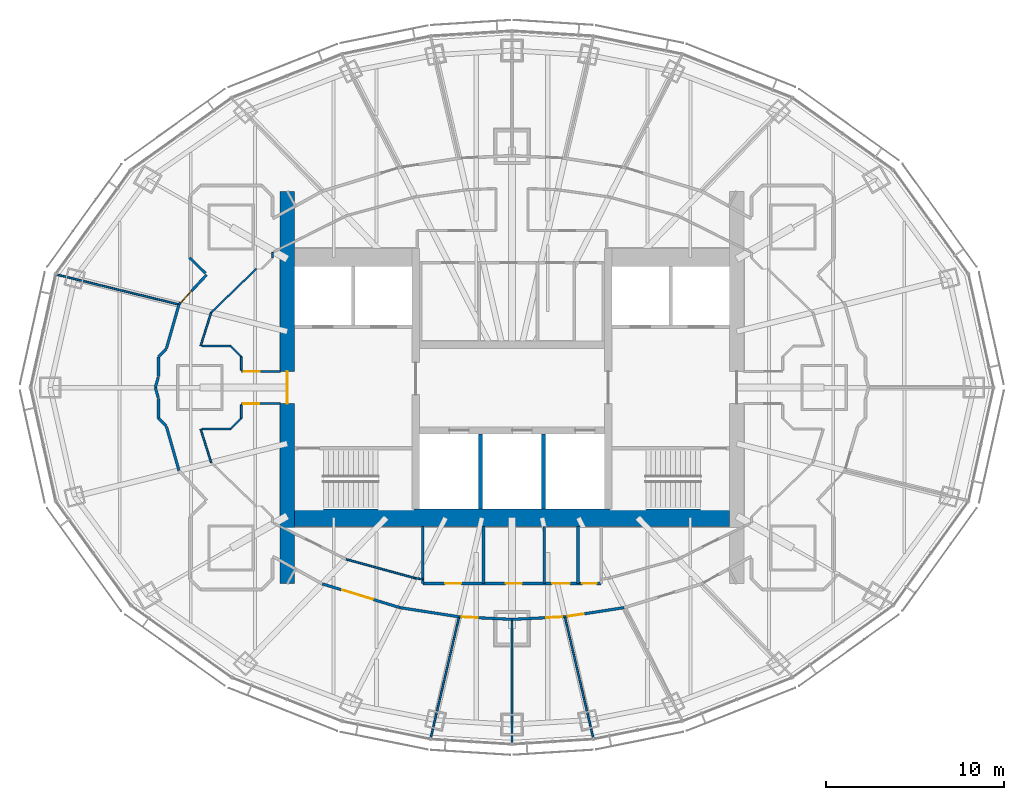
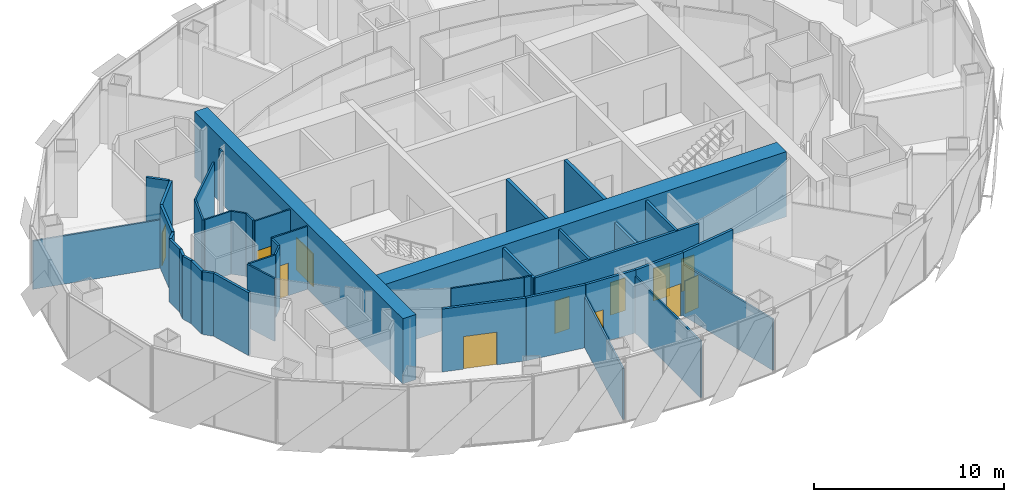
# One storey, part 12 of 19: 42 walls, 12 doors, 12 openings.
"""IFC4 building model written with IfcOpenShell, lengths in metres."""

from ifc_helpers import new_model, si_unit, direction, frame, frame_2d, origin, place, context, subcontext, project, spatial, rectangle, extrude, material, layer, layer_set, type_object, element, fill, save


model = new_model("IFC4")

# Units and contexts
model_context = context("Model", 3, precision=1e-05, world=origin(), true_north=direction((0.0, 1.0)))
body_context = subcontext(model_context, "Body", "Model", "MODEL_VIEW")
ifc_project = project(units=[si_unit("LENGTHUNIT", "METRE"), si_unit("AREAUNIT", "SQUARE_METRE"), si_unit("VOLUMEUNIT", "CUBIC_METRE"), si_unit("PLANEANGLEUNIT", "RADIAN"), si_unit("MASSUNIT", "GRAM", prefix="KILO")], contexts=[model_context])

# Site, building, storey
site_placement = place(None, origin())
site = spatial("IfcSite", under=ifc_project, at=site_placement, CompositionType="ELEMENT")
building_placement = place(site_placement, origin())
building = spatial("IfcBuilding", under=site, at=building_placement, Name="Lantaw Convention Tower", CompositionType="ELEMENT")
storey_placement = place(building_placement, frame((0.0, 0.0, 245.199951171875)))
storey = spatial("IfcBuildingStorey", under=building, at=storey_placement, Name="L57", CompositionType="ELEMENT", Elevation=245.199951171875)

# Wall
ifc_material_1 = material(Name="Concrete C60/75", Category="concrete")
ifc_layer_1 = layer(ifc_material_1, 1.0)
ifc_layer_set_1 = layer_set([ifc_layer_1], Name="Core wall 1000")
wall_type_1 = type_object("IfcWallType", Name="Core wall 1000", PredefinedType="SHEAR", material=ifc_layer_set_1)
wall_1_placement = place(storey_placement, frame((-12.199951171875, -7.300048828125, 0.0), z_axis=(0.0, 0.0, 1.0), x_axis=(1.0, 0.0, 0.0)))
element("IfcWall", 1, at=wall_1_placement, inside=storey, type_object=wall_type_1, Name="Core wall S", PredefinedType="SHEAR", context=body_context, shape_type="SweptSolid", body=[
    extrude(rectangle(XDim=24.39990234375, YDim=1.0, at=frame_2d((12.199951171875, 0.0))), origin(), (0.0, 0.0, 1.0), 4.199951171875),
])

# Wall, opening, door
ifc_layer_2 = layer(ifc_material_1, 0.800048828125)
ifc_layer_set_2 = layer_set([ifc_layer_2], Name="Core wall 800")
wall_type_2 = type_object("IfcWallType", Name="Core wall 800", PredefinedType="SHEAR", material=ifc_layer_set_2)
wall_2_placement = place(storey_placement, frame((-12.60009765625, 11.0, 0.0), z_axis=(0.0, 0.0, 1.0), x_axis=(0.0, -1.0, 0.0)))
wall_2 = element("IfcWall", 2, at=wall_2_placement, inside=storey, type_object=wall_type_2, Name="Core wall W", PredefinedType="SHEAR", context=body_context, shape_type="SweptSolid", body=[
    extrude(rectangle(XDim=22.0, YDim=0.800048828125, at=frame_2d((11.0, 0.0))), origin(), (0.0, 0.0, 1.0), 4.199951171875),
])
opening_1_placement = place(wall_2_placement, frame((10.10009765625, 0.0, 0.0)))
opening_1 = element("IfcOpeningElement", 3, at=opening_1_placement, cuts=wall_2, Name="Opening L57.06", PredefinedType="OPENING", context=body_context, shape_type="SweptSolid", body=[
    extrude(rectangle(XDim=1.800048828125, YDim=2.10009765625, at=frame_2d((0.89990234375, 1.050048828125))), frame((0.0, 0.409912109375, 0.0), z_axis=(0.0, -1.0, 0.0), x_axis=(1.0, 0.0, 0.0)), (0.0, 0.0, 1.0), 0.820068359375),
])
ifc_material_2 = material(Name="Steel, fire rated", Category="steel")
door_type_1 = type_object("IfcDoorType", Name="Lobby double door FD90", OperationType="DOUBLE_DOOR_DOUBLE_SWING", PredefinedType="DOOR", material=ifc_material_2)
door_1_placement = place(opening_1_placement, origin())
door_1 = element("IfcDoor", 4, at=door_1_placement, inside=storey, type_object=door_type_1, Name="Firefighting lobby door", OperationType="DOUBLE_DOOR_DOUBLE_SWING", OverallHeight=2.10009765625, OverallWidth=1.800048828125, PredefinedType="DOOR", context=body_context, shape_type="SweptSolid", body=[
    extrude(rectangle(XDim=1.800048828125, YDim=2.10009765625, at=frame_2d((0.89990234375, 1.050048828125))), frame((0.0, 0.02490234375, 0.0), z_axis=(0.0, -1.0, 0.0), x_axis=(1.0, 0.0, 0.0)), (0.0, 0.0, 1.0), 0.050048828125),
])
fill(opening_1, door_1)

ifc_material_3 = material(Name="Gypsum board on steel studs, fire rated", Category="steel")
ifc_layer_3 = layer(ifc_material_3, 0.14990234375)
ifc_layer_set_3 = layer_set([ifc_layer_3], Name="Corridor wall 150 EI 60")
wall_type_3 = type_object("IfcWallType", Name="Corridor wall 150 EI 60", PredefinedType="PARTITIONING", material=ifc_layer_set_3)
wall_3_placement = place(storey_placement, frame((-10.6328125, -11.010498046875, 0.0), z_axis=(0.0, 0.0, 1.0), x_axis=(0.956185837153, -0.292760388079, 0.0)))
wall_3 = element("IfcWall", 5, at=wall_3_placement, inside=storey, type_object=wall_type_3, Name="Corridor wall 150", PredefinedType="PARTITIONING", context=body_context, shape_type="SweptSolid", body=[
    extrude(rectangle(XDim=4.5439453125, YDim=0.14990234375, at=frame_2d((2.27197265625, 0.0))), origin(), (0.0, 0.0, 1.0), 4.050048828125),
])
opening_2_placement = place(wall_3_placement, frame((1.168212890625, 0.0, 0.0)))
opening_2 = element("IfcOpeningElement", 6, at=opening_2_placement, cuts=wall_3, Name="Opening L57.38", PredefinedType="OPENING", context=body_context, shape_type="SweptSolid", body=[
    extrude(rectangle(XDim=1.800048828125, YDim=2.10009765625, at=frame_2d((0.89990234375, 1.050048828125))), frame((0.0, 0.0849609375, 0.0), z_axis=(0.0, -1.0, 0.0), x_axis=(1.0, 0.0, 0.0)), (0.0, 0.0, 1.0), 0.169921875),
])
door_type_2 = type_object("IfcDoorType", Name="Office double door 1800 FD30", OperationType="DOUBLE_DOOR_DOUBLE_SWING", PredefinedType="DOOR", material=ifc_material_2)
door_2_placement = place(opening_2_placement, origin())
door_2 = element("IfcDoor", 7, at=door_2_placement, inside=storey, type_object=door_type_2, Name="Open office door", OperationType="DOUBLE_DOOR_DOUBLE_SWING", OverallHeight=2.10009765625, OverallWidth=1.800048828125, PredefinedType="DOOR", context=body_context, shape_type="SweptSolid", body=[
    extrude(rectangle(XDim=1.800048828125, YDim=2.10009765625, at=frame_2d((0.89990234375, 1.050048828125))), frame((0.0, 0.02490234375, 0.0), z_axis=(0.0, -1.0, 0.0), x_axis=(1.0, 0.0, 0.0)), (0.0, 0.0, 1.0), 0.050048828125),
])
fill(opening_2, door_2)

# Wall
wall_4_placement = place(storey_placement, frame((-6.287841796875, -12.3408203125, 0.0), z_axis=(0.0, 0.0, 1.0), x_axis=(0.988174283057, -0.153334882869, 0.0)))
element("IfcWall", 8, at=wall_4_placement, inside=storey, type_object=wall_type_3, Name="Corridor wall 150", PredefinedType="PARTITIONING", context=body_context, shape_type="SweptSolid", body=[
    extrude(rectangle(XDim=3.359619140625, YDim=0.14990234375, at=frame_2d((1.6796875, 0.0))), origin(), (0.0, 0.0, 1.0), 4.050048828125),
])

# Wall, opening, door
wall_5_placement = place(storey_placement, frame((-2.968017578125, -12.85595703125, 0.0), z_axis=(0.0, 0.0, 1.0), x_axis=(0.998824412818, -0.04847465687, 0.0)))
wall_5 = element("IfcWall", 9, at=wall_5_placement, inside=storey, type_object=wall_type_3, Name="Corridor wall 150", PredefinedType="PARTITIONING", context=body_context, shape_type="SweptSolid", body=[
    extrude(rectangle(XDim=2.971435546875, YDim=0.14990234375, at=frame_2d((1.48583984375, 0.0))), origin(), (0.0, 0.0, 1.0), 4.050048828125),
])
opening_3_placement = place(wall_5_placement, frame((0.14990234375, 0.0, 0.0)))
opening_3 = element("IfcOpeningElement", 10, at=opening_3_placement, cuts=wall_5, Name="Opening L57.39", PredefinedType="OPENING", context=body_context, shape_type="SweptSolid", body=[
    extrude(rectangle(XDim=0.89990234375, YDim=2.10009765625, at=frame_2d((0.449951171875, 1.050048828125))), frame((0.0, 0.0849609375, 0.0), z_axis=(0.0, -1.0, 0.0), x_axis=(1.0, 0.0, 0.0)), (0.0, 0.0, 1.0), 0.169921875),
])
door_type_3 = type_object("IfcDoorType", Name="Office door 900 FD30", OperationType="SINGLE_SWING_LEFT", PredefinedType="DOOR", material=ifc_material_2)
door_3_placement = place(opening_3_placement, origin())
door_3 = element("IfcDoor", 11, at=door_3_placement, inside=storey, type_object=door_type_3, Name="Private office door", OperationType="SINGLE_SWING_LEFT", OverallHeight=2.10009765625, OverallWidth=0.89990234375, PredefinedType="DOOR", context=body_context, shape_type="SweptSolid", body=[
    extrude(rectangle(XDim=0.89990234375, YDim=2.10009765625, at=frame_2d((0.449951171875, 1.050048828125))), frame((0.0, 0.02490234375, 0.0), z_axis=(0.0, -1.0, 0.0), x_axis=(1.0, 0.0, 0.0)), (0.0, 0.0, 1.0), 0.050048828125),
])
fill(opening_3, door_3)

wall_6_placement = place(storey_placement, frame((0.0, -13.0, 0.0), z_axis=(0.0, 0.0, 1.0), x_axis=(0.998824412818, 0.04847465687, 0.0)))
wall_6 = element("IfcWall", 12, at=wall_6_placement, inside=storey, type_object=wall_type_3, Name="Corridor wall 150", PredefinedType="PARTITIONING", context=body_context, shape_type="SweptSolid", body=[
    extrude(rectangle(XDim=2.971435546875, YDim=0.14990234375, at=frame_2d((1.48583984375, 0.0))), origin(), (0.0, 0.0, 1.0), 4.050048828125),
])
opening_4_placement = place(wall_6_placement, frame((1.92138671875, 0.0, 0.0)))
opening_4 = element("IfcOpeningElement", 13, at=opening_4_placement, cuts=wall_6, Name="Opening L57.40", PredefinedType="OPENING", context=body_context, shape_type="SweptSolid", body=[
    extrude(rectangle(XDim=0.89990234375, YDim=2.10009765625, at=frame_2d((0.449951171875, 1.050048828125))), frame((0.0, 0.0849609375, 0.0), z_axis=(0.0, -1.0, 0.0), x_axis=(1.0, 0.0, 0.0)), (0.0, 0.0, 1.0), 0.169921875),
])
door_4_placement = place(opening_4_placement, origin())
door_4 = element("IfcDoor", 14, at=door_4_placement, inside=storey, type_object=door_type_3, Name="Private office door", OperationType="SINGLE_SWING_LEFT", OverallHeight=2.10009765625, OverallWidth=0.89990234375, PredefinedType="DOOR", context=body_context, shape_type="SweptSolid", body=[
    extrude(rectangle(XDim=0.89990234375, YDim=2.10009765625, at=frame_2d((0.449951171875, 1.050048828125))), frame((0.0, 0.02490234375, 0.0), z_axis=(0.0, -1.0, 0.0), x_axis=(1.0, 0.0, 0.0)), (0.0, 0.0, 1.0), 0.050048828125),
])
fill(opening_4, door_4)

wall_7_placement = place(storey_placement, frame((2.968017578125, -12.85595703125, 0.0), z_axis=(0.0, 0.0, 1.0), x_axis=(0.988174283057, 0.153334882869, 0.0)))
wall_7 = element("IfcWall", 15, at=wall_7_placement, inside=storey, type_object=wall_type_3, Name="Corridor wall 150", PredefinedType="PARTITIONING", context=body_context, shape_type="SweptSolid", body=[
    extrude(rectangle(XDim=3.359619140625, YDim=0.14990234375, at=frame_2d((1.6796875, 0.0))), origin(), (0.0, 0.0, 1.0), 4.050048828125),
])
opening_5_placement = place(wall_7_placement, frame((0.14990234375, 0.0, 0.0)))
opening_5 = element("IfcOpeningElement", 16, at=opening_5_placement, cuts=wall_7, Name="Opening L57.41", PredefinedType="OPENING", context=body_context, shape_type="SweptSolid", body=[
    extrude(rectangle(XDim=0.89990234375, YDim=2.10009765625, at=frame_2d((0.449951171875, 1.050048828125))), frame((0.0, 0.0849609375, 0.0), z_axis=(0.0, -1.0, 0.0), x_axis=(1.0, 0.0, 0.0)), (0.0, 0.0, 1.0), 0.169921875),
])
door_5_placement = place(opening_5_placement, origin())
door_5 = element("IfcDoor", 17, at=door_5_placement, inside=storey, type_object=door_type_3, Name="Private office door", OperationType="SINGLE_SWING_LEFT", OverallHeight=2.10009765625, OverallWidth=0.89990234375, PredefinedType="DOOR", context=body_context, shape_type="SweptSolid", body=[
    extrude(rectangle(XDim=0.89990234375, YDim=2.10009765625, at=frame_2d((0.449951171875, 1.050048828125))), frame((0.0, 0.02490234375, 0.0), z_axis=(0.0, -1.0, 0.0), x_axis=(1.0, 0.0, 0.0)), (0.0, 0.0, 1.0), 0.050048828125),
])
fill(opening_5, door_5)

# Walls
wall_8_placement = place(storey_placement, frame((-18.67333984375, 4.65576171875, 0.0), z_axis=(0.0, 0.0, 1.0), x_axis=(-0.274067949327, -0.961710330168, 0.0)))
element("IfcWall", 18, at=wall_8_placement, inside=storey, type_object=wall_type_3, Name="Corridor wall 150", PredefinedType="PARTITIONING", context=body_context, shape_type="SweptSolid", body=[
    extrude(rectangle(XDim=2.5673828125, YDim=0.14990234375, at=frame_2d((1.28369140625, 0.0))), origin(), (0.0, 0.0, 1.0), 4.050048828125),
])
for number, where, z_axis, x_axis, name in (
    (19, (-19.8349609375, 0.5791015625, 0.0), (0.0, 0.0, 1.0), (-0.27407847996, -0.961707329089, 0.0), "Corridor wall 150"),
    (20, (-20.0, 0.0, 0.0), (0.0, 0.0, 1.0), (0.27407847996, -0.961707329089, 0.0), "Corridor wall 150"),
):
    element("IfcWall", number, at=place(storey_placement, frame(where, z_axis=z_axis, x_axis=x_axis)), inside=storey, type_object=wall_type_3, Name=name, PredefinedType="PARTITIONING", context=body_context, shape_type="SweptSolid", body=[
        extrude(rectangle(XDim=0.60205078125, YDim=0.14990234375, at=frame_2d((0.301025390625, 0.0))), origin(), (0.0, 0.0, 1.0), 4.050048828125),
    ])
wall_9_placement = place(storey_placement, frame((-19.376953125, -2.186767578125, 0.0), z_axis=(0.0, 0.0, 1.0), x_axis=(0.274067949327, -0.961710330168, 0.0)))
element("IfcWall", 21, at=wall_9_placement, inside=storey, type_object=wall_type_3, Name="Corridor wall 150", PredefinedType="PARTITIONING", context=body_context, shape_type="SweptSolid", body=[
    extrude(rectangle(XDim=2.5673828125, YDim=0.14990234375, at=frame_2d((1.28369140625, 0.0))), origin(), (0.0, 0.0, 1.0), 4.050048828125),
])
for number, where, z_axis, x_axis, name in (
    (22, (-19.824951171875, -1.724609375, 0.0), (0.0, 0.0, 1.0), (0.0, 1.0, 0.0), "Corridor wall 150"),
    (23, (-19.824951171875, 0.607421875, 0.0), (0.0, 0.0, 1.0), (0.0, 1.0, 0.0), "Corridor wall 150"),
):
    element("IfcWall", number, at=place(storey_placement, frame(where, z_axis=z_axis, x_axis=x_axis)), inside=storey, type_object=wall_type_3, Name=name, PredefinedType="PARTITIONING", context=body_context, shape_type="SweptSolid", body=[
        extrude(rectangle(XDim=1.1171875, YDim=0.14990234375, at=frame_2d((0.55859375, 0.0))), origin(), (0.0, 0.0, 1.0), 4.050048828125),
    ])
for number, where, z_axis, x_axis, name in (
    (24, (-19.824951171875, 1.724609375, 0.0), (0.0, 0.0, 1.0), (0.707106781187, 0.707106781187, 0.0), "Corridor wall 150"),
    (25, (-19.39013671875, -2.159423828125, 0.0), (0.0, 0.0, 1.0), (-0.707106781187, 0.707106781187, 0.0), "Corridor wall 150"),
):
    element("IfcWall", number, at=place(storey_placement, frame(where, z_axis=z_axis, x_axis=x_axis)), inside=storey, type_object=wall_type_3, Name=name, PredefinedType="PARTITIONING", context=body_context, shape_type="SweptSolid", body=[
        extrude(rectangle(XDim=0.614990234375, YDim=0.14990234375, at=frame_2d((0.3076171875, 0.0))), origin(), (0.0, 0.0, 1.0), 4.050048828125),
    ])

# Wall, opening, door
wall_10_placement = place(storey_placement, frame((-17.121337890625, 6.32470703125, 0.0), z_axis=(0.0, 0.0, 1.0), x_axis=(-0.680985069419, -0.732297299755, 0.0)))
wall_10 = element("IfcWall", 26, at=wall_10_placement, inside=storey, type_object=wall_type_3, Name="Corridor wall 150", PredefinedType="PARTITIONING", context=body_context, shape_type="SweptSolid", body=[
    extrude(rectangle(XDim=2.279052734375, YDim=0.14990234375, at=frame_2d((1.1396484375, 0.0))), origin(), (0.0, 0.0, 1.0), 4.050048828125),
])
opening_6_placement = place(wall_10_placement, frame((1.25, 0.0, 0.0)))
opening_6 = element("IfcOpeningElement", 27, at=opening_6_placement, cuts=wall_10, Name="Opening L57.37", PredefinedType="OPENING", context=body_context, shape_type="SweptSolid", body=[
    extrude(rectangle(XDim=0.89990234375, YDim=2.10009765625, at=frame_2d((0.449951171875, 1.050048828125))), frame((0.0, 0.0849609375, 0.0), z_axis=(0.0, -1.0, 0.0), x_axis=(1.0, 0.0, 0.0)), (0.0, 0.0, 1.0), 0.169921875),
])
door_6_placement = place(opening_6_placement, origin())
door_6 = element("IfcDoor", 28, at=door_6_placement, inside=storey, type_object=door_type_3, Name="Meeting room door", OperationType="SINGLE_SWING_LEFT", OverallHeight=2.10009765625, OverallWidth=0.89990234375, PredefinedType="DOOR", context=body_context, shape_type="SweptSolid", body=[
    extrude(rectangle(XDim=0.89990234375, YDim=2.10009765625, at=frame_2d((0.449951171875, 1.050048828125))), frame((0.0, 0.02490234375, 0.0), z_axis=(0.0, -1.0, 0.0), x_axis=(1.0, 0.0, 0.0)), (0.0, 0.0, 1.0), 0.050048828125),
])
fill(opening_6, door_6)

# Walls
wall_11_placement = place(storey_placement, frame((-17.1865234375, 6.40380859375, 0.0), z_axis=(0.0, 0.0, 1.0), x_axis=(-0.713842064016, 0.700306723973, 0.0)))
element("IfcWall", 29, at=wall_11_placement, inside=storey, type_object=wall_type_3, Name="Corridor wall 150", PredefinedType="PARTITIONING", context=body_context, shape_type="SweptSolid", body=[
    extrude(rectangle(XDim=1.24462890625, YDim=0.14990234375, at=frame_2d((0.622314453125, 0.0))), origin(), (0.0, 0.0, 1.0), 4.050048828125),
])
ifc_material_4 = material(Name="Gypsum board on steel studs, acoustic", Category="steel")
ifc_layer_4 = layer(ifc_material_4, 0.10009765625)
ifc_layer_set_4 = layer_set([ifc_layer_4], Name="Office partition 100")
wall_type_4 = type_object("IfcWallType", Name="Office partition 100", PredefinedType="PARTITIONING", material=ifc_layer_set_4)
wall_12_placement = place(storey_placement, frame((-25.54296875, 6.33544921875, 0.0), z_axis=(0.0, 0.0, 1.0), x_axis=(0.971384494438, -0.237512450129, 0.0)))
element("IfcWall", 30, at=wall_12_placement, inside=storey, type_object=wall_type_4, Name="Office partition 100", PredefinedType="PARTITIONING", context=body_context, shape_type="SweptSolid", body=[
    extrude(rectangle(XDim=7.072021484375, YDim=0.10009765625, at=frame_2d((3.5361328125, 0.0))), origin(), (0.0, 0.0, 1.0), 3.107666015625),
])
wall_13_placement = place(storey_placement, frame((-4.5556640625, -19.65673828125, 0.0), z_axis=(0.0, 0.0, 1.0), x_axis=(0.22733791689, 0.973815933092, 0.0)))
element("IfcWall", 31, at=wall_13_placement, inside=storey, type_object=wall_type_4, Name="Office partition 100", PredefinedType="PARTITIONING", context=body_context, shape_type="SweptSolid", body=[
    extrude(rectangle(XDim=6.983642578125, YDim=0.10009765625, at=frame_2d((3.49169921875, 0.0))), origin(), (0.0, 0.0, 1.0), 3.293212890625),
])
wall_14_placement = place(storey_placement, frame((0.0, -19.94482421875, 0.0), z_axis=(0.0, 0.0, 1.0), x_axis=(0.0, 1.0, 0.0)))
element("IfcWall", 32, at=wall_14_placement, inside=storey, type_object=wall_type_4, Name="Office partition 100", PredefinedType="PARTITIONING", context=body_context, shape_type="SweptSolid", body=[
    extrude(rectangle(XDim=6.94482421875, YDim=0.10009765625, at=frame_2d((3.472412109375, 0.0))), origin(), (0.0, 0.0, 1.0), 3.6435546875),
])
wall_15_placement = place(storey_placement, frame((4.5556640625, -19.65673828125, 0.0), z_axis=(0.0, 0.0, 1.0), x_axis=(-0.22733791689, 0.973815933092, 0.0)))
element("IfcWall", 33, at=wall_15_placement, inside=storey, type_object=wall_type_4, Name="Office partition 100", PredefinedType="PARTITIONING", context=body_context, shape_type="SweptSolid", body=[
    extrude(rectangle(XDim=6.983642578125, YDim=0.10009765625, at=frame_2d((3.49169921875, 0.0))), origin(), (0.0, 0.0, 1.0), 3.293212890625),
])
wall_16_placement = place(storey_placement, frame((-5.0, -10.7490234375, 0.0), z_axis=(0.0, 0.0, 1.0), x_axis=(-0.990442882696, 0.137923515463, 0.0)))
element("IfcWall", 34, at=wall_16_placement, inside=storey, type_object=wall_type_4, Name="Office partition 100", PredefinedType="PARTITIONING", context=body_context, shape_type="SweptSolid", body=[
    extrude(rectangle(XDim=0.44970703125, YDim=0.10009765625, at=frame_2d((0.224853515625, 0.0))), origin(), (0.0, 0.0, 1.0), 4.050048828125),
])
wall_17_placement = place(storey_placement, frame((-5.4453125, -10.68701171875, 0.0), z_axis=(0.0, 0.0, 1.0), x_axis=(-0.964244438722, 0.265014456954, 0.0)))
element("IfcWall", 35, at=wall_17_placement, inside=storey, type_object=wall_type_4, Name="Office partition 100", PredefinedType="PARTITIONING", context=body_context, shape_type="SweptSolid", body=[
    extrude(rectangle(XDim=3.995361328125, YDim=0.10009765625, at=frame_2d((1.99755859375, 0.0))), origin(), (0.0, 0.0, 1.0), 4.050048828125),
])
wall_18_placement = place(storey_placement, frame((-16.8681640625, -4.205810546875, 0.0), z_axis=(0.0, 0.0, 1.0), x_axis=(-0.301821975729, 0.953364303384, 0.0)))
element("IfcWall", 36, at=wall_18_placement, inside=storey, type_object=wall_type_4, Name="Office partition 100", PredefinedType="PARTITIONING", context=body_context, shape_type="SweptSolid", body=[
    extrude(rectangle(XDim=1.96240234375, YDim=0.10009765625, at=frame_2d((0.981201171875, 0.0))), origin(), (0.0, 0.0, 1.0), 4.050048828125),
])

# Wall, opening, door
wall_19_placement = place(storey_placement, frame((-15.1650390625, -0.89990234375, 0.0), z_axis=(0.0, 0.0, 1.0), x_axis=(1.0, 0.0, 0.0)))
wall_19 = element("IfcWall", 37, at=wall_19_placement, inside=storey, type_object=wall_type_4, Name="Office partition 100", PredefinedType="PARTITIONING", context=body_context, shape_type="SweptSolid", body=[
    extrude(rectangle(XDim=2.1650390625, YDim=0.10009765625, at=frame_2d((1.08251953125, 0.0))), origin(), (0.0, 0.0, 1.0), 4.050048828125),
])
opening_7_placement = place(wall_19_placement, frame((0.10009765625, 0.0, 0.0)))
opening_7 = element("IfcOpeningElement", 38, at=opening_7_placement, cuts=wall_19, Name="Opening L57.22", PredefinedType="OPENING", context=body_context, shape_type="SweptSolid", body=[
    extrude(rectangle(XDim=0.89990234375, YDim=2.10009765625, at=frame_2d((0.449951171875, 1.050048828125))), frame((0.0, 0.06005859375, 0.0), z_axis=(0.0, -1.0, 0.0), x_axis=(1.0, 0.0, 0.0)), (0.0, 0.0, 1.0), 0.1201171875),
])
ifc_material_5 = material(Name="Timber", Category="wood")
door_type_4 = type_object("IfcDoorType", Name="Office door 900", OperationType="SINGLE_SWING_LEFT", PredefinedType="DOOR", material=ifc_material_5)
door_7_placement = place(opening_7_placement, origin())
door_7 = element("IfcDoor", 39, at=door_7_placement, inside=storey, type_object=door_type_4, Name="Meeting room door", OperationType="SINGLE_SWING_LEFT", OverallHeight=2.10009765625, OverallWidth=0.89990234375, PredefinedType="DOOR", context=body_context, shape_type="SweptSolid", body=[
    extrude(rectangle(XDim=0.89990234375, YDim=2.10009765625, at=frame_2d((0.449951171875, 1.050048828125))), frame((0.0, 0.02490234375, 0.0), z_axis=(0.0, -1.0, 0.0), x_axis=(1.0, 0.0, 0.0)), (0.0, 0.0, 1.0), 0.050048828125),
])
fill(opening_7, door_7)

wall_20_placement = place(storey_placement, frame((-13.0, 0.89990234375, 0.0), z_axis=(0.0, 0.0, 1.0), x_axis=(-1.0, 0.0, 0.0)))
wall_20 = element("IfcWall", 40, at=wall_20_placement, inside=storey, type_object=wall_type_4, Name="Office partition 100", PredefinedType="PARTITIONING", context=body_context, shape_type="SweptSolid", body=[
    extrude(rectangle(XDim=2.1650390625, YDim=0.10009765625, at=frame_2d((1.08251953125, 0.0))), origin(), (0.0, 0.0, 1.0), 4.050048828125),
])
opening_8_placement = place(wall_20_placement, frame((1.14990234375, 0.0, 0.0)))
opening_8 = element("IfcOpeningElement", 41, at=opening_8_placement, cuts=wall_20, Name="Opening L57.29", PredefinedType="OPENING", context=body_context, shape_type="SweptSolid", body=[
    extrude(rectangle(XDim=0.89990234375, YDim=2.10009765625, at=frame_2d((0.449951171875, 1.050048828125))), frame((0.0, 0.06005859375, 0.0), z_axis=(0.0, -1.0, 0.0), x_axis=(1.0, 0.0, 0.0)), (0.0, 0.0, 1.0), 0.1201171875),
])
door_8_placement = place(opening_8_placement, origin())
door_8 = element("IfcDoor", 42, at=door_8_placement, inside=storey, type_object=door_type_4, Name="Comms room door", OperationType="SINGLE_SWING_LEFT", OverallHeight=2.10009765625, OverallWidth=0.89990234375, PredefinedType="DOOR", context=body_context, shape_type="SweptSolid", body=[
    extrude(rectangle(XDim=0.89990234375, YDim=2.10009765625, at=frame_2d((0.449951171875, 1.050048828125))), frame((0.0, 0.02490234375, 0.0), z_axis=(0.0, -1.0, 0.0), x_axis=(1.0, 0.0, 0.0)), (0.0, 0.0, 1.0), 0.050048828125),
])
fill(opening_8, door_8)

# Walls
wall_21_placement = place(storey_placement, frame((-17.46044921875, 2.3349609375, 0.0), z_axis=(0.0, 0.0, 1.0), x_axis=(0.301821975729, 0.953364303384, 0.0)))
element("IfcWall", 43, at=wall_21_placement, inside=storey, type_object=wall_type_4, Name="Office partition 100", PredefinedType="PARTITIONING", context=body_context, shape_type="SweptSolid", body=[
    extrude(rectangle(XDim=1.96240234375, YDim=0.10009765625, at=frame_2d((0.981201171875, 0.0))), origin(), (0.0, 0.0, 1.0), 4.050048828125),
])
wall_22_placement = place(storey_placement, frame((-15.175048828125, -0.978271484375, 0.0), z_axis=(0.0, 0.0, 1.0), x_axis=(0.0, -1.0, 0.0)))
element("IfcWall", 44, at=wall_22_placement, inside=storey, type_object=wall_type_4, Name="Office partition 100", PredefinedType="PARTITIONING", context=body_context, shape_type="SweptSolid", body=[
    extrude(rectangle(XDim=0.746337890625, YDim=0.10009765625, at=frame_2d((0.373046875, 0.0))), origin(), (0.0, 0.0, 1.0), 4.050048828125),
])
wall_23_placement = place(storey_placement, frame((-15.175048828125, -1.724609375, 0.0), z_axis=(0.0, 0.0, 1.0), x_axis=(-0.707106781187, -0.707106781187, 0.0)))
element("IfcWall", 45, at=wall_23_placement, inside=storey, type_object=wall_type_4, Name="Office partition 100", PredefinedType="PARTITIONING", context=body_context, shape_type="SweptSolid", body=[
    extrude(rectangle(XDim=0.84912109375, YDim=0.10009765625, at=frame_2d((0.424560546875, 0.0))), origin(), (0.0, 0.0, 1.0), 4.050048828125),
])
for number, where, z_axis, x_axis, name in (
    (46, (-15.775390625, -2.324951171875, 0.0), (0.0, 0.0, 1.0), (-1.0, 0.0, 0.0), "Office partition 100"),
    (47, (-17.3798828125, 2.324951171875, 0.0), (0.0, 0.0, 1.0), (1.0, 0.0, 0.0), "Office partition 100"),
):
    element("IfcWall", number, at=place(storey_placement, frame(where, z_axis=z_axis, x_axis=x_axis)), inside=storey, type_object=wall_type_4, Name=name, PredefinedType="PARTITIONING", context=body_context, shape_type="SweptSolid", body=[
        extrude(rectangle(XDim=1.6044921875, YDim=0.10009765625, at=frame_2d((0.80224609375, 0.0))), origin(), (0.0, 0.0, 1.0), 4.050048828125),
    ])
wall_24_placement = place(storey_placement, frame((-15.775390625, 2.324951171875, 0.0), z_axis=(0.0, 0.0, 1.0), x_axis=(0.707106781187, -0.707106781187, 0.0)))
element("IfcWall", 48, at=wall_24_placement, inside=storey, type_object=wall_type_4, Name="Office partition 100", PredefinedType="PARTITIONING", context=body_context, shape_type="SweptSolid", body=[
    extrude(rectangle(XDim=0.84912109375, YDim=0.10009765625, at=frame_2d((0.424560546875, 0.0))), origin(), (0.0, 0.0, 1.0), 4.050048828125),
])
wall_25_placement = place(storey_placement, frame((-15.175048828125, 1.724609375, 0.0), z_axis=(0.0, 0.0, 1.0), x_axis=(0.0, -1.0, 0.0)))
element("IfcWall", 49, at=wall_25_placement, inside=storey, type_object=wall_type_4, Name="Office partition 100", PredefinedType="PARTITIONING", context=body_context, shape_type="SweptSolid", body=[
    extrude(rectangle(XDim=0.746337890625, YDim=0.10009765625, at=frame_2d((0.373046875, 0.0))), origin(), (0.0, 0.0, 1.0), 4.050048828125),
])
wall_26_placement = place(storey_placement, frame((-16.8681640625, 4.205810546875, 0.0), z_axis=(0.0, 0.0, 1.0), x_axis=(0.718810161381, 0.695206409562, 0.0)))
element("IfcWall", 50, at=wall_26_placement, inside=storey, type_object=wall_type_4, Name="Office partition 100", PredefinedType="PARTITIONING", context=body_context, shape_type="SweptSolid", body=[
    extrude(rectangle(XDim=3.537353515625, YDim=0.10009765625, at=frame_2d((1.7685546875, 0.0))), origin(), (0.0, 0.0, 1.0), 4.050048828125),
])
wall_27_placement = place(storey_placement, frame((-13.425048828125, 7.57763671875, 0.0), z_axis=(0.0, 0.0, 1.0), x_axis=(0.0, -1.0, 0.0)))
element("IfcWall", 51, at=wall_27_placement, inside=storey, type_object=wall_type_4, Name="Office partition 100", PredefinedType="PARTITIONING", context=body_context, shape_type="SweptSolid", body=[
    extrude(rectangle(XDim=0.30224609375, YDim=0.10009765625, at=frame_2d((0.151123046875, 0.0))), origin(), (0.0, 0.0, 1.0), 4.050048828125),
])
ifc_material_6 = material(Name="Concrete blockwork, fire rated", Category="masonry")
ifc_layer_5 = layer(ifc_material_6, 0.199951171875)
ifc_layer_set_5 = layer_set([ifc_layer_5], Name="Shaft wall 200 load-bearing")
wall_type_5 = type_object("IfcWallType", Name="Shaft wall 200 load-bearing", PredefinedType="SOLIDWALL", material=ifc_layer_set_5)
for number, where, z_axis, x_axis, name in (
    (52, (-1.7666015625, -2.60009765625, 0.0), (0.0, 0.0, 1.0), (0.0, -1.0, 0.0), "Shaft wall DS1"),
    (53, (1.7666015625, -2.60009765625, 0.0), (0.0, 0.0, 1.0), (0.0, -1.0, 0.0), "Shaft wall DS2"),
):
    element("IfcWall", number, at=place(storey_placement, frame(where, z_axis=z_axis, x_axis=x_axis)), inside=storey, type_object=wall_type_5, Name=name, PredefinedType="SOLIDWALL", context=body_context, shape_type="SweptSolid", body=[
        extrude(rectangle(XDim=4.199951171875, YDim=0.199951171875, at=frame_2d((2.10009765625, 0.0))), origin(), (0.0, 0.0, 1.0), 4.199951171875),
    ])

# Wall, openings, doors
ifc_material_7 = material(Name="Concrete blockwork", Category="masonry")
ifc_layer_6 = layer(ifc_material_7, 0.14990234375)
ifc_layer_set_6 = layer_set([ifc_layer_6], Name="WC wall 150")
wall_type_6 = type_object("IfcWallType", Name="WC wall 150", PredefinedType="SOLIDWALL", material=ifc_layer_set_6)
wall_28_placement = place(storey_placement, frame((-5.0, -10.987060546875, 0.0), z_axis=(0.0, 0.0, 1.0), x_axis=(1.0, 0.0, 0.0)))
wall_28 = element("IfcWall", 54, at=wall_28_placement, inside=storey, type_object=wall_type_6, Name="WC wall 150", PredefinedType="SOLIDWALL", context=body_context, shape_type="SweptSolid", body=[
    extrude(rectangle(XDim=10.0, YDim=0.14990234375, at=frame_2d((5.0, 0.0))), origin(), (0.0, 0.0, 1.0), 4.050048828125),
])
opening_9_placement = place(wall_28_placement, frame((1.25, 0.0, 0.0)))
opening_9 = element("IfcOpeningElement", 55, at=opening_9_placement, cuts=wall_28, Name="Opening L57.18", PredefinedType="OPENING", context=body_context, shape_type="SweptSolid", body=[
    extrude(rectangle(XDim=0.89990234375, YDim=2.10009765625, at=frame_2d((0.449951171875, 1.050048828125))), frame((0.0, 0.0849609375, 0.0), z_axis=(0.0, -1.0, 0.0), x_axis=(1.0, 0.0, 0.0)), (0.0, 0.0, 1.0), 0.169921875),
])
opening_10_placement = place(wall_28_placement, frame((4.64990234375, 0.0, 0.0)))
opening_10 = element("IfcOpeningElement", 56, at=opening_10_placement, cuts=wall_28, Name="Opening L57.19", PredefinedType="OPENING", context=body_context, shape_type="SweptSolid", body=[
    extrude(rectangle(XDim=0.89990234375, YDim=2.10009765625, at=frame_2d((0.449951171875, 1.050048828125))), frame((0.0, 0.0849609375, 0.0), z_axis=(0.0, -1.0, 0.0), x_axis=(1.0, 0.0, 0.0)), (0.0, 0.0, 1.0), 0.169921875),
])
opening_11_placement = place(wall_28_placement, frame((7.25, 0.0, 0.0)))
opening_11 = element("IfcOpeningElement", 57, at=opening_11_placement, cuts=wall_28, Name="Opening L57.20", PredefinedType="OPENING", context=body_context, shape_type="SweptSolid", body=[
    extrude(rectangle(XDim=1.0, YDim=2.10009765625, at=frame_2d((0.5, 1.050048828125))), frame((0.0, 0.0849609375, 0.0), z_axis=(0.0, -1.0, 0.0), x_axis=(1.0, 0.0, 0.0)), (0.0, 0.0, 1.0), 0.169921875),
])
opening_12_placement = place(wall_28_placement, frame((8.949951171875, 0.0, 0.0)))
opening_12 = element("IfcOpeningElement", 58, at=opening_12_placement, cuts=wall_28, Name="Opening L57.21", PredefinedType="OPENING", context=body_context, shape_type="SweptSolid", body=[
    extrude(rectangle(XDim=0.800048828125, YDim=2.10009765625, at=frame_2d((0.39990234375, 1.050048828125))), frame((0.0, 0.0849609375, 0.0), z_axis=(0.0, -1.0, 0.0), x_axis=(1.0, 0.0, 0.0)), (0.0, 0.0, 1.0), 0.169921875),
])
door_type_5 = type_object("IfcDoorType", Name="Accessible WC door 1000", OperationType="SINGLE_SWING_LEFT", PredefinedType="DOOR", material=ifc_material_5)
door_9_placement = place(opening_11_placement, origin())
door_9 = element("IfcDoor", 59, at=door_9_placement, inside=storey, type_object=door_type_5, Name="Accessible WC door", OperationType="SINGLE_SWING_LEFT", OverallHeight=2.10009765625, OverallWidth=1.0, PredefinedType="DOOR", context=body_context, shape_type="SweptSolid", body=[
    extrude(rectangle(XDim=1.0, YDim=2.10009765625, at=frame_2d((0.5, 1.050048828125))), frame((0.0, 0.02490234375, 0.0), z_axis=(0.0, -1.0, 0.0), x_axis=(1.0, 0.0, 0.0)), (0.0, 0.0, 1.0), 0.050048828125),
])
fill(opening_11, door_9)
door_type_6 = type_object("IfcDoorType", Name="WC door 800", OperationType="SINGLE_SWING_LEFT", PredefinedType="DOOR", material=ifc_material_5)
door_10_placement = place(opening_12_placement, origin())
door_10 = element("IfcDoor", 60, at=door_10_placement, inside=storey, type_object=door_type_6, Name="Pantry door", OperationType="SINGLE_SWING_LEFT", OverallHeight=2.10009765625, OverallWidth=0.800048828125, PredefinedType="DOOR", context=body_context, shape_type="SweptSolid", body=[
    extrude(rectangle(XDim=0.800048828125, YDim=2.10009765625, at=frame_2d((0.39990234375, 1.050048828125))), frame((0.0, 0.02490234375, 0.0), z_axis=(0.0, -1.0, 0.0), x_axis=(1.0, 0.0, 0.0)), (0.0, 0.0, 1.0), 0.050048828125),
])
fill(opening_12, door_10)
door_type_7 = type_object("IfcDoorType", Name="WC door 900", OperationType="SINGLE_SWING_LEFT", PredefinedType="DOOR", material=ifc_material_5)
door_11_placement = place(opening_9_placement, origin())
door_11 = element("IfcDoor", 61, at=door_11_placement, inside=storey, type_object=door_type_7, Name="Male WC door", OperationType="SINGLE_SWING_LEFT", OverallHeight=2.10009765625, OverallWidth=0.89990234375, PredefinedType="DOOR", context=body_context, shape_type="SweptSolid", body=[
    extrude(rectangle(XDim=0.89990234375, YDim=2.10009765625, at=frame_2d((0.449951171875, 1.050048828125))), frame((0.0, 0.02490234375, 0.0), z_axis=(0.0, -1.0, 0.0), x_axis=(1.0, 0.0, 0.0)), (0.0, 0.0, 1.0), 0.050048828125),
])
fill(opening_9, door_11)
door_12_placement = place(opening_10_placement, origin())
door_12 = element("IfcDoor", 62, at=door_12_placement, inside=storey, type_object=door_type_7, Name="Female WC door", OperationType="SINGLE_SWING_LEFT", OverallHeight=2.10009765625, OverallWidth=0.89990234375, PredefinedType="DOOR", context=body_context, shape_type="SweptSolid", body=[
    extrude(rectangle(XDim=0.89990234375, YDim=2.10009765625, at=frame_2d((0.449951171875, 1.050048828125))), frame((0.0, 0.02490234375, 0.0), z_axis=(0.0, -1.0, 0.0), x_axis=(1.0, 0.0, 0.0)), (0.0, 0.0, 1.0), 0.050048828125),
])
fill(opening_10, door_12)

# Walls
for number, where, z_axis, x_axis, name in (
    (63, (-5.0, -7.800048828125, 0.0), (0.0, 0.0, 1.0), (0.0, -1.0, 0.0), "WC wall 150"),
    (64, (-1.60009765625, -7.800048828125, 0.0), (0.0, 0.0, 1.0), (0.0, -1.0, 0.0), "WC wall 150"),
):
    element("IfcWall", number, at=place(storey_placement, frame(where, z_axis=z_axis, x_axis=x_axis)), inside=storey, type_object=wall_type_6, Name=name, PredefinedType="SOLIDWALL", context=body_context, shape_type="SweptSolid", body=[
        extrude(rectangle(XDim=3.18701171875, YDim=0.14990234375, at=frame_2d((1.593505859375, 0.0))), origin(), (0.0, 0.0, 1.0), 4.050048828125),
    ])
wall_29_placement = place(storey_placement, frame((1.800048828125, -7.800048828125, 0.0), z_axis=(0.0, 0.0, 1.0), x_axis=(0.0, -1.0, 0.0)))
element("IfcWall", 65, at=wall_29_placement, inside=storey, type_object=wall_type_6, Name="WC wall 150", PredefinedType="SOLIDWALL", context=body_context, shape_type="SweptSolid", body=[
    extrude(rectangle(XDim=3.18701171875, YDim=0.14990234375, at=frame_2d((1.593505859375, 0.0))), origin(), (0.0, 0.0, 1.0), 3.293212890625),
])
wall_30_placement = place(storey_placement, frame((3.699951171875, -7.800048828125, 0.0), z_axis=(0.0, 0.0, 1.0), x_axis=(0.0, -1.0, 0.0)))
element("IfcWall", 66, at=wall_30_placement, inside=storey, type_object=wall_type_6, Name="WC wall 150", PredefinedType="SOLIDWALL", context=body_context, shape_type="SweptSolid", body=[
    extrude(rectangle(XDim=3.18701171875, YDim=0.14990234375, at=frame_2d((1.593505859375, 0.0))), origin(), (0.0, 0.0, 1.0), 4.050048828125),
])

save(model, "model.ifc")
